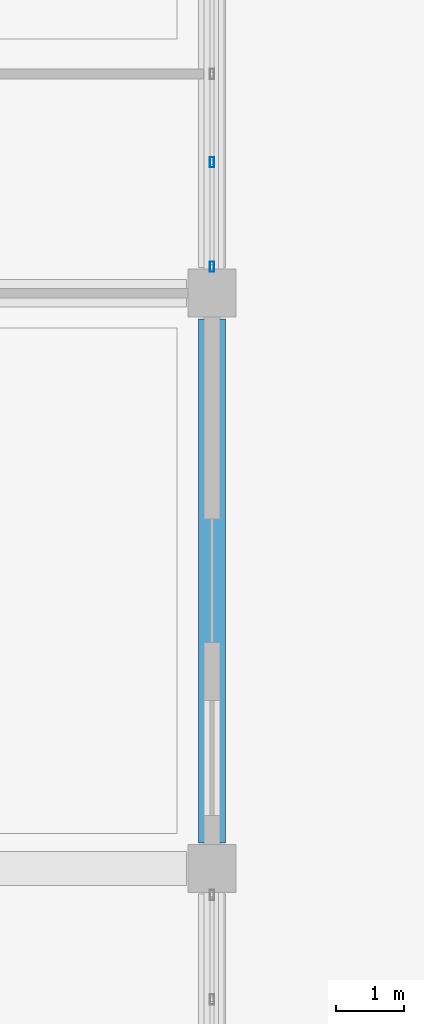
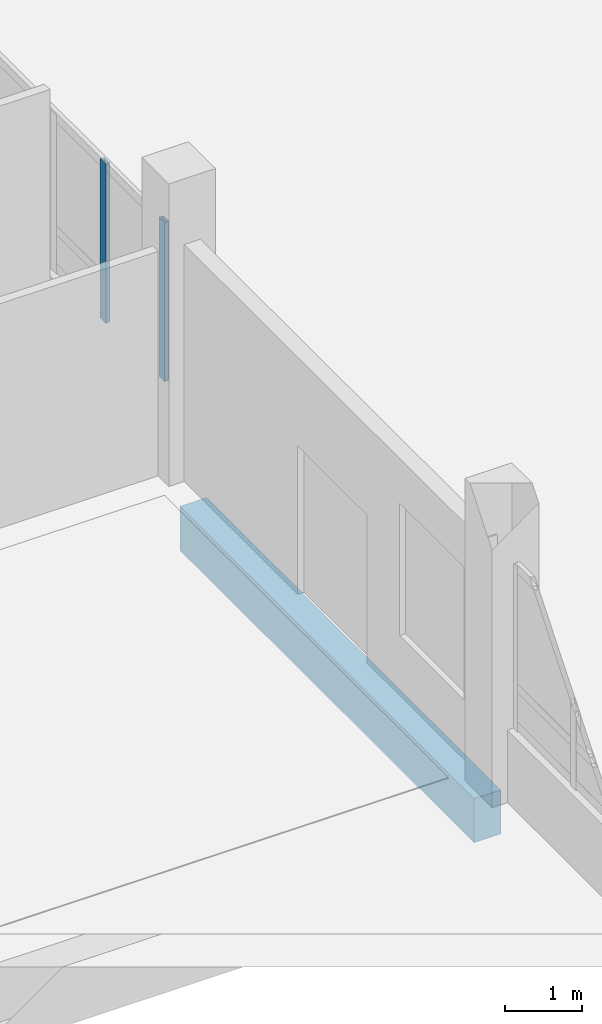
# One storey, part 36 of 95: 2 members, 1 beam, 1 element without a shape of its own.
"""IFC4 building model written with IfcOpenShell, lengths in metres."""

from ifc_helpers import new_model, si_unit, direction, frame, origin, origin_2d, place, context, subcontext, project, spatial, rectangle, hollow_rectangle, extrude, material, layer, layer_set, material_profile, profile_set, type_object, element, aggregate, save


model = new_model("IFC4")

# Units and contexts
model_context = context("Model", 3, precision=1e-05, world=origin(), true_north=direction((0.0, 1.0)))
body_context = subcontext(model_context, "Body", "Model", "MODEL_VIEW")
ifc_project = project(units=[si_unit("LENGTHUNIT", "METRE"), si_unit("AREAUNIT", "SQUARE_METRE"), si_unit("VOLUMEUNIT", "CUBIC_METRE"), si_unit("PLANEANGLEUNIT", "RADIAN"), si_unit("MASSUNIT", "GRAM", prefix="KILO")], contexts=[model_context])

# Site, building, storey
site_placement = place(None, origin())
site = spatial("IfcSite", under=ifc_project, at=site_placement, CompositionType="ELEMENT")
building_placement = place(site_placement, origin())
building = spatial("IfcBuilding", under=site, at=building_placement, Name="Vireocrest Preparatory School", CompositionType="ELEMENT")
storey_placement = place(building_placement, origin())
storey = spatial("IfcBuildingStorey", under=building, at=storey_placement, Name="L00", CompositionType="ELEMENT", Elevation=0.0)

# Curtain wall, members
ifc_material_1 = material(Name="Thermally broken aluminium EN AW-6063-T6", Category="aluminium")
ifc_layer = layer(ifc_material_1, 0.179931640625)
ifc_layer_set = layer_set([ifc_layer], Name="Thermally broken aluminium EN AW-6063-T6")
curtain_wall_type = type_object("IfcCurtainWallType", Name="Court Banded Curtain Wall 8400x3600", PredefinedType="USERDEFINED", material=ifc_layer_set)
curtain_wall_placement = place(storey_placement, origin())
curtain_wall = element("IfcCurtainWall", 1, at=curtain_wall_placement, inside=storey, type_object=curtain_wall_type, Name="Curtain Wall CW01 CW_L00_CW01_0672_0609_012", ObjectType="CURTAIN WALL", PredefinedType="USERDEFINED")
ifc_material_profile_1 = material_profile(ifc_material_1, hollow_rectangle(XDim=0.06494140625, YDim=0.14990234375, WallThickness=0.00390625, at=origin_2d()), Name="ALU 65x150x4")
ifc_profile_set_1 = profile_set([ifc_material_profile_1], Name="Thermally broken aluminium EN AW-6063-T6")
member_type = type_object("IfcMemberType", Name="CW Mullion 65x150x4", PredefinedType="MULLION", material=ifc_profile_set_1)
member_1_placement = place(storey_placement, frame((67.199951171875, 60.985107421875, 1.14990234375), z_axis=(0.0, 0.0, 1.0), x_axis=(1.0, 0.0, 0.0)))
member_1 = element("IfcMember", 2, at=member_1_placement, type_object=member_type, Name="CW Mullion ML1 CW_L00_CW01_0672_0609_012-1", PredefinedType="MULLION", context=body_context, shape_type="SweptSolid", body=[
    extrude(hollow_rectangle(XDim=0.06494140625, YDim=0.14990234375, WallThickness=0.00390625, at=origin_2d()), origin(), (0.0, 0.0, 1.0), 2.525146484375),
])
member_2_placement = place(storey_placement, frame((67.199951171875, 62.510986328125, 1.14990234375), z_axis=(0.0, 0.0, 1.0), x_axis=(1.0, 0.0, 0.0)))
member_2 = element("IfcMember", 3, at=member_2_placement, type_object=member_type, Name="CW Mullion ML1 CW_L00_CW01_0672_0609_012-2", PredefinedType="MULLION", context=body_context, shape_type="SweptSolid", body=[
    extrude(hollow_rectangle(XDim=0.06494140625, YDim=0.14990234375, WallThickness=0.00390625, at=origin_2d()), origin(), (0.0, 0.0, 1.0), 2.525146484375),
])
aggregate(curtain_wall, [member_1, member_2])

# Beam
ifc_material_2 = material(Name="Concrete 40 MPa", Category="concrete")
ifc_material_profile_2 = material_profile(ifc_material_2, rectangle(XDim=0.39990234375, YDim=0.699951171875, at=origin_2d()), Name="RC 400x700")
ifc_profile_set_2 = profile_set([ifc_material_profile_2], Name="Concrete 40 MPa")
beam_type = type_object("IfcBeamType", Name="RC Corridor Girder 400x700", PredefinedType="BEAM", material=ifc_profile_set_2)
beam_placement = place(storey_placement, frame((67.199951171875, 52.574951171875, -0.699951171875), z_axis=(0.0, 1.0, 0.0), x_axis=(-1.0, 0.0, 0.0)))
element("IfcBeam", 4, at=beam_placement, inside=storey, type_object=beam_type, Name="Primary Girder B08 L00-0181", PredefinedType="BEAM", context=body_context, shape_type="SweptSolid", body=[
    extrude(rectangle(XDim=0.39990234375, YDim=0.699951171875, at=origin_2d()), origin(), (0.0, 0.0, 1.0), 7.650146484375),
])

save(model, "model.ifc")
